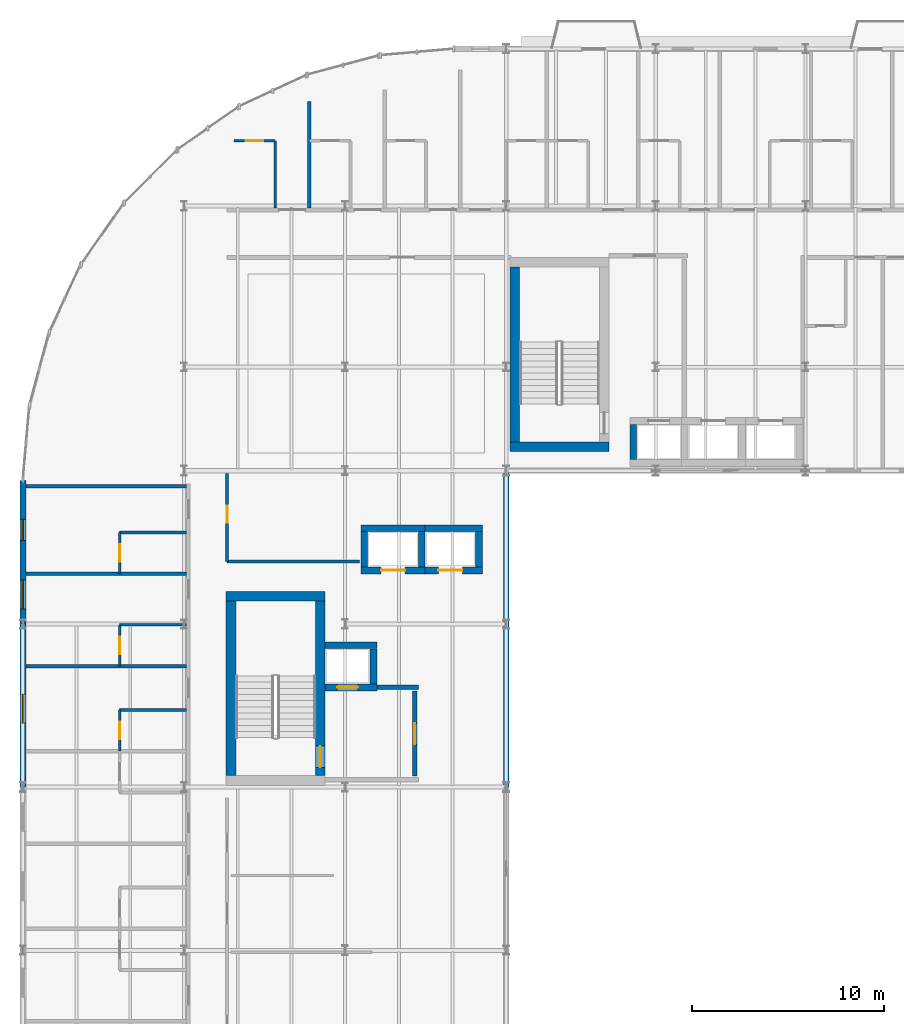
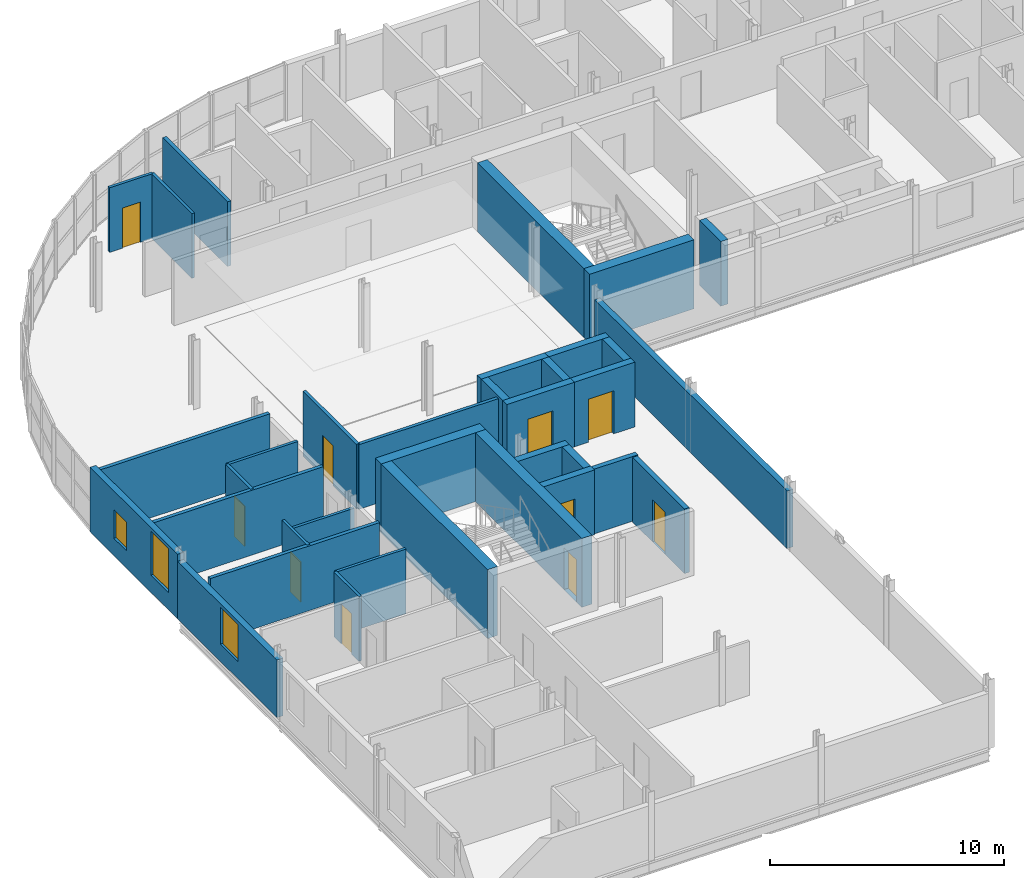
# One storey, part 18 of 30: 35 walls, 10 doors, 3 windows, 13 openings.
"""IFC4 building model written with IfcOpenShell, lengths in metres."""

from ifc_helpers import new_model, si_unit, direction, frame, frame_2d, origin, place, context, subcontext, project, spatial, rectangle, extrude, material, layer, layer_set, type_object, element, fill, save


model = new_model("IFC4")

# Units and contexts
model_context = context("Model", 3, precision=1e-05, world=origin(), true_north=direction((0.0, 1.0)))
body_context = subcontext(model_context, "Body", "Model", "MODEL_VIEW")
ifc_project = project(units=[si_unit("LENGTHUNIT", "METRE"), si_unit("AREAUNIT", "SQUARE_METRE"), si_unit("VOLUMEUNIT", "CUBIC_METRE"), si_unit("PLANEANGLEUNIT", "RADIAN"), si_unit("MASSUNIT", "GRAM", prefix="KILO")], contexts=[model_context])

# Site, building, storey
site_placement = place(None, origin())
site = spatial("IfcSite", under=ifc_project, at=site_placement, CompositionType="ELEMENT")
building_placement = place(site_placement, origin())
building = spatial("IfcBuilding", under=site, at=building_placement, Name="Sefraquen Railside Congress Hotel", CompositionType="ELEMENT")
storey_placement = place(building_placement, frame((0.0, 0.0, 35.39990234375)))
storey = spatial("IfcBuildingStorey", under=building, at=storey_placement, Name="L08", CompositionType="ELEMENT", Elevation=35.39990234375)

# Wall
ifc_material_1 = material(Name="Concrete C50/60", Category="concrete")
ifc_layer_1 = layer(ifc_material_1, 0.35009765625)
ifc_layer_set_1 = layer_set([ifc_layer_1], Name="Concrete C50/60")
wall_type_1 = type_object("IfcWallType", Name="TW-CW-350", PredefinedType="SHEAR", material=ifc_layer_set_1)
wall_1_placement = place(storey_placement, frame((15.760009765625, 86.89501953125, 0.0), z_axis=(0.0, 0.0, 1.0), x_axis=(1.0, 0.0, 0.0)))
element("IfcWall", 1, at=wall_1_placement, inside=storey, type_object=wall_type_1, Name="Lift FL-01 shaft wall N L08", PredefinedType="SHEAR", context=body_context, shape_type="SweptSolid", body=[
    extrude(rectangle(XDim=2.68994140625, YDim=0.35009765625, at=frame_2d((1.344970703125, 0.0))), origin(), (0.0, 0.0, 1.0), 3.380126953125),
])

# Wall, opening, door
wall_2_placement = place(storey_placement, frame((15.760009765625, 84.705078125, 0.0), z_axis=(0.0, 0.0, 1.0), x_axis=(1.0, 0.0, 0.0)))
wall_2 = element("IfcWall", 2, at=wall_2_placement, inside=storey, type_object=wall_type_1, Name="Lift FL-01 shaft wall S L08", PredefinedType="SHEAR", context=body_context, shape_type="SweptSolid", body=[
    extrude(rectangle(XDim=2.68994140625, YDim=0.35009765625, at=frame_2d((1.344970703125, 0.0))), origin(), (0.0, 0.0, 1.0), 3.380126953125),
])
opening_1_placement = place(wall_2_placement, frame((0.6201171875, 0.0, 0.0)))
opening_1 = element("IfcOpeningElement", 3, at=opening_1_placement, cuts=wall_2, Name="Opening LD-01", PredefinedType="OPENING", context=body_context, shape_type="SweptSolid", body=[
    extrude(rectangle(XDim=1.10009765625, YDim=2.199951171875, at=frame_2d((0.550048828125, 1.10009765625))), frame((0.0, 0.18505859375, 0.0), z_axis=(0.0, -1.0, 0.0), x_axis=(1.0, 0.0, 0.0)), (0.0, 0.0, 1.0), 0.3701171875),
])
ifc_material_2 = material(Name="Brushed bronze stainless steel", Category="steel")
door_type_1 = type_object("IfcDoorType", Name="TD-LD-01", OperationType="NOTDEFINED", PredefinedType="DOOR", material=ifc_material_2)
door_1_placement = place(opening_1_placement, origin())
door_1 = element("IfcDoor", 4, at=door_1_placement, inside=storey, type_object=door_type_1, Name="Lift landing door FL-01 L08", OperationType="SLIDING_TO_LEFT", OverallHeight=2.199951171875, OverallWidth=1.10009765625, PredefinedType="DOOR", context=body_context, shape_type="SweptSolid", body=[
    extrude(rectangle(XDim=1.10009765625, YDim=2.199951171875, at=frame_2d((0.550048828125, 1.10009765625))), frame((0.0, 0.02490234375, 0.0), z_axis=(0.0, -1.0, 0.0), x_axis=(1.0, 0.0, 0.0)), (0.0, 0.0, 1.0), 0.050048828125),
])
fill(opening_1, door_1)

# Walls
wall_3_placement = place(storey_placement, frame((18.27490234375, 84.8798828125, 0.0), z_axis=(0.0, 0.0, 1.0), x_axis=(0.0, 1.0, 0.0)))
element("IfcWall", 5, at=wall_3_placement, inside=storey, type_object=wall_type_1, Name="Lift FL-01 shaft wall E L08", PredefinedType="SHEAR", context=body_context, shape_type="SweptSolid", body=[
    extrude(rectangle(XDim=1.840087890625, YDim=0.35009765625, at=frame_2d((0.919921875, 0.0))), origin(), (0.0, 0.0, 1.0), 3.380126953125),
])
wall_4_placement = place(storey_placement, frame((31.81494140625, 96.580078125, 0.0), z_axis=(0.0, 0.0, 1.0), x_axis=(0.0, 1.0, 0.0)))
element("IfcWall", 6, at=wall_4_placement, inside=storey, type_object=wall_type_1, Name="Lift FL-02 shaft wall W L08", PredefinedType="SHEAR", context=body_context, shape_type="SweptSolid", body=[
    extrude(rectangle(XDim=1.83984375, YDim=0.35009765625, at=frame_2d((0.919921875, 0.0))), origin(), (0.0, 0.0, 1.0), 3.380126953125),
])
wall_5_placement = place(storey_placement, frame((17.6298828125, 92.9951171875, 0.0), z_axis=(0.0, 0.0, 1.0), x_axis=(1.0, 0.0, 0.0)))
element("IfcWall", 7, at=wall_5_placement, inside=storey, type_object=wall_type_1, Name="Lift PL-01 shaft wall N L08", PredefinedType="SHEAR", context=body_context, shape_type="SweptSolid", body=[
    extrude(rectangle(XDim=3.340087890625, YDim=0.35009765625, at=frame_2d((1.669921875, 0.0))), origin(), (0.0, 0.0, 1.0), 3.380126953125),
])

# Wall, opening, door
wall_6_placement = place(storey_placement, frame((17.6298828125, 90.804931640625, 0.0), z_axis=(0.0, 0.0, 1.0), x_axis=(1.0, 0.0, 0.0)))
wall_6 = element("IfcWall", 8, at=wall_6_placement, inside=storey, type_object=wall_type_1, Name="Lift PL-01 shaft wall S L08", PredefinedType="SHEAR", context=body_context, shape_type="SweptSolid", body=[
    extrude(rectangle(XDim=3.340087890625, YDim=0.35009765625, at=frame_2d((1.669921875, 0.0))), origin(), (0.0, 0.0, 1.0), 3.380126953125),
])
opening_2_placement = place(wall_6_placement, frame((1.044921875, 0.0, 0.0)))
opening_2 = element("IfcOpeningElement", 9, at=opening_2_placement, cuts=wall_6, Name="Opening LD-02", PredefinedType="OPENING", context=body_context, shape_type="SweptSolid", body=[
    extrude(rectangle(XDim=1.25, YDim=2.25, at=frame_2d((0.625, 1.125))), frame((0.0, 0.18505859375, 0.0), z_axis=(0.0, -1.0, 0.0), x_axis=(1.0, 0.0, 0.0)), (0.0, 0.0, 1.0), 0.3701171875),
])
ifc_material_3 = material(Name="Brushed stainless steel", Category="steel")
door_type_2 = type_object("IfcDoorType", Name="TD-LD-02", OperationType="NOTDEFINED", PredefinedType="DOOR", material=ifc_material_3)
door_2_placement = place(opening_2_placement, origin())
door_2 = element("IfcDoor", 10, at=door_2_placement, inside=storey, type_object=door_type_2, Name="Lift landing door PL-01 L08", OperationType="SLIDING_TO_LEFT", OverallHeight=2.25, OverallWidth=1.25, PredefinedType="DOOR", context=body_context, shape_type="SweptSolid", body=[
    extrude(rectangle(XDim=1.25, YDim=2.25, at=frame_2d((0.625, 1.125))), frame((0.0, 0.02490234375, 0.0), z_axis=(0.0, -1.0, 0.0), x_axis=(1.0, 0.0, 0.0)), (0.0, 0.0, 1.0), 0.050048828125),
])
fill(opening_2, door_2)

# Walls
for number, where, z_axis, x_axis, name in (
    (11, (17.804931640625, 90.97998046875, 0.0), (0.0, 0.0, 1.0), (0.0, 1.0, 0.0), "Lift PL-01 shaft wall W L08"),
    (12, (20.794921875, 90.97998046875, 0.0), (0.0, 0.0, 1.0), (0.0, 1.0, 0.0), "Lift PL-01 shaft wall E L08"),
):
    element("IfcWall", number, at=place(storey_placement, frame(where, z_axis=z_axis, x_axis=x_axis)), inside=storey, type_object=wall_type_1, Name=name, PredefinedType="SHEAR", context=body_context, shape_type="SweptSolid", body=[
        extrude(rectangle(XDim=1.840087890625, YDim=0.35009765625, at=frame_2d((0.919921875, 0.0))), origin(), (0.0, 0.0, 1.0), 3.380126953125),
    ])
wall_7_placement = place(storey_placement, frame((20.969970703125, 92.9951171875, 0.0), z_axis=(0.0, 0.0, 1.0), x_axis=(1.0, 0.0, 0.0)))
element("IfcWall", 13, at=wall_7_placement, inside=storey, type_object=wall_type_1, Name="Lift PL-02 shaft wall N L08", PredefinedType="SHEAR", context=body_context, shape_type="SweptSolid", body=[
    extrude(rectangle(XDim=2.989990234375, YDim=0.35009765625, at=frame_2d((1.4951171875, 0.0))), origin(), (0.0, 0.0, 1.0), 3.380126953125),
])

# Wall, opening, door
wall_8_placement = place(storey_placement, frame((20.969970703125, 90.804931640625, 0.0), z_axis=(0.0, 0.0, 1.0), x_axis=(1.0, 0.0, 0.0)))
wall_8 = element("IfcWall", 14, at=wall_8_placement, inside=storey, type_object=wall_type_1, Name="Lift PL-02 shaft wall S L08", PredefinedType="SHEAR", context=body_context, shape_type="SweptSolid", body=[
    extrude(rectangle(XDim=2.989990234375, YDim=0.35009765625, at=frame_2d((1.4951171875, 0.0))), origin(), (0.0, 0.0, 1.0), 3.380126953125),
])
opening_3_placement = place(wall_8_placement, frame((0.695068359375, 0.0, 0.0)))
opening_3 = element("IfcOpeningElement", 15, at=opening_3_placement, cuts=wall_8, Name="Opening LD-02", PredefinedType="OPENING", context=body_context, shape_type="SweptSolid", body=[
    extrude(rectangle(XDim=1.25, YDim=2.25, at=frame_2d((0.625, 1.125))), frame((0.0, 0.18505859375, 0.0), z_axis=(0.0, -1.0, 0.0), x_axis=(1.0, 0.0, 0.0)), (0.0, 0.0, 1.0), 0.3701171875),
])
door_3_placement = place(opening_3_placement, origin())
door_3 = element("IfcDoor", 16, at=door_3_placement, inside=storey, type_object=door_type_2, Name="Lift landing door PL-02 L08", OperationType="SLIDING_TO_LEFT", OverallHeight=2.25, OverallWidth=1.25, PredefinedType="DOOR", context=body_context, shape_type="SweptSolid", body=[
    extrude(rectangle(XDim=1.25, YDim=2.25, at=frame_2d((0.625, 1.125))), frame((0.0, 0.02490234375, 0.0), z_axis=(0.0, -1.0, 0.0), x_axis=(1.0, 0.0, 0.0)), (0.0, 0.0, 1.0), 0.050048828125),
])
fill(opening_3, door_3)

# Walls
wall_9_placement = place(storey_placement, frame((23.784912109375, 90.97998046875, 0.0), z_axis=(0.0, 0.0, 1.0), x_axis=(0.0, 1.0, 0.0)))
element("IfcWall", 17, at=wall_9_placement, inside=storey, type_object=wall_type_1, Name="Lift PL-02 shaft wall E L08", PredefinedType="SHEAR", context=body_context, shape_type="SweptSolid", body=[
    extrude(rectangle(XDim=1.840087890625, YDim=0.35009765625, at=frame_2d((0.919921875, 0.0))), origin(), (0.0, 0.0, 1.0), 3.380126953125),
])
ifc_layer_2 = layer(ifc_material_1, 0.5)
ifc_layer_set_2 = layer_set([ifc_layer_2], Name="Concrete C50/60")
wall_type_2 = type_object("IfcWallType", Name="TW-CW-500", PredefinedType="SHEAR", material=ifc_layer_set_2)
wall_10_placement = place(storey_placement, frame((10.60009765625, 89.4619140625, 0.0), z_axis=(0.0, 0.0, 1.0), x_axis=(1.0, 0.0, 0.0)))
element("IfcWall", 18, at=wall_10_placement, inside=storey, type_object=wall_type_2, Name="Core shear wall ST-H01 N L08", PredefinedType="SHEAR", context=body_context, shape_type="SweptSolid", body=[
    extrude(rectangle(XDim=5.159912109375, YDim=0.5, at=frame_2d((2.580078125, 0.0))), origin(), (0.0, 0.0, 1.0), 3.60009765625),
])
wall_11_placement = place(storey_placement, frame((10.85009765625, 80.10009765625, 0.0), z_axis=(0.0, 0.0, 1.0), x_axis=(0.0, 1.0, 0.0)))
element("IfcWall", 19, at=wall_11_placement, inside=storey, type_object=wall_type_2, Name="Core shear wall ST-H01 W L08", PredefinedType="SHEAR", context=body_context, shape_type="SweptSolid", body=[
    extrude(rectangle(XDim=9.11181640625, YDim=0.5, at=frame_2d((4.555908203125, 0.0))), origin(), (0.0, 0.0, 1.0), 3.60009765625),
])

# Wall, opening, door
wall_12_placement = place(storey_placement, frame((15.510009765625, 80.10009765625, 0.0), z_axis=(0.0, 0.0, 1.0), x_axis=(0.0, 1.0, 0.0)))
wall_12 = element("IfcWall", 20, at=wall_12_placement, inside=storey, type_object=wall_type_2, Name="Core shear wall ST-H01 E L08", PredefinedType="SHEAR", context=body_context, shape_type="SweptSolid", body=[
    extrude(rectangle(XDim=9.11181640625, YDim=0.5, at=frame_2d((4.555908203125, 0.0))), origin(), (0.0, 0.0, 1.0), 3.60009765625),
])
opening_4_placement = place(wall_12_placement, frame((0.43994140625, 0.0, 0.0)))
opening_4 = element("IfcOpeningElement", 21, at=opening_4_placement, cuts=wall_12, Name="Opening FD-04", PredefinedType="OPENING", context=body_context, shape_type="SweptSolid", body=[
    extrude(rectangle(XDim=1.10009765625, YDim=2.199951171875, at=frame_2d((0.550048828125, 1.10009765625))), frame((0.0, 0.260009765625, 0.0), z_axis=(0.0, -1.0, 0.0), x_axis=(1.0, 0.0, 0.0)), (0.0, 0.0, 1.0), 0.52001953125),
])
ifc_material_4 = material(Name="Fire-rated steel", Category="steel")
door_type_3 = type_object("IfcDoorType", Name="TD-FD-04", OperationType="NOTDEFINED", PredefinedType="DOOR", material=ifc_material_4)
door_4_placement = place(opening_4_placement, origin())
door_4 = element("IfcDoor", 22, at=door_4_placement, inside=storey, type_object=door_type_3, Name="Pressurized stair ST-H01 fire door L08", OperationType="SINGLE_SWING_RIGHT", OverallHeight=2.199951171875, OverallWidth=1.10009765625, PredefinedType="DOOR", context=body_context, shape_type="SweptSolid", body=[
    extrude(rectangle(XDim=1.10009765625, YDim=2.199951171875, at=frame_2d((0.550048828125, 1.10009765625))), frame((0.0, 0.02490234375, 0.0), z_axis=(0.0, -1.0, 0.0), x_axis=(1.0, 0.0, 0.0)), (0.0, 0.0, 1.0), 0.050048828125),
])
fill(opening_4, door_4)

# Walls
wall_13_placement = place(storey_placement, frame((25.39990234375, 97.25, 0.0), z_axis=(0.0, 0.0, 1.0), x_axis=(1.0, 0.0, 0.0)))
element("IfcWall", 23, at=wall_13_placement, inside=storey, type_object=wall_type_2, Name="Core shear wall ST-H02 S L08", PredefinedType="SHEAR", context=body_context, shape_type="SweptSolid", body=[
    extrude(rectangle(XDim=5.16015625, YDim=0.5, at=frame_2d((2.580078125, 0.0))), origin(), (0.0, 0.0, 1.0), 3.60009765625),
])
wall_14_placement = place(storey_placement, frame((25.64990234375, 97.5, 0.0), z_axis=(0.0, 0.0, 1.0), x_axis=(0.0, 1.0, 0.0)))
element("IfcWall", 24, at=wall_14_placement, inside=storey, type_object=wall_type_2, Name="Core shear wall ST-H02 W L08", PredefinedType="SHEAR", context=body_context, shape_type="SweptSolid", body=[
    extrude(rectangle(XDim=9.112060546875, YDim=0.5, at=frame_2d((4.55615234375, 0.0))), origin(), (0.0, 0.0, 1.0), 3.60009765625),
])
ifc_material_5 = material(Name="Ochre Rabat calcarenite limestone and Concrete C40/50 backing", Category="masonry")
ifc_layer_3 = layer(ifc_material_5, 0.280029296875)
ifc_layer_set_3 = layer_set([ifc_layer_3], Name="Ochre Rabat calcarenite limestone and Concrete C40/50 backing")
wall_type_3 = type_object("IfcWallType", Name="TW-EW-280", PredefinedType="STANDARD", material=ifc_layer_set_3)
wall_15_placement = place(storey_placement, frame((25.199951171875, 79.5, 0.0), z_axis=(0.0, 0.0, 1.0), x_axis=(0.0, 1.0, 0.0)))
element("IfcWall", 25, at=wall_15_placement, inside=storey, type_object=wall_type_3, Name="Hotel L08 courtyard return wall", PredefinedType="STANDARD", context=body_context, shape_type="SweptSolid", body=[
    extrude(rectangle(XDim=16.5, YDim=0.280029296875, at=frame_2d((8.25, 0.0))), origin(), (0.0, 0.0, 1.0), 3.010009765625),
])

# Wall, opening, window
ifc_layer_4 = layer(ifc_material_5, 0.300048828125)
ifc_layer_set_4 = layer_set([ifc_layer_4], Name="Ochre Rabat calcarenite limestone and Concrete C40/50 backing")
wall_type_4 = type_object("IfcWallType", Name="TW-EW-300", PredefinedType="STANDARD", material=ifc_layer_set_4)
wall_16_placement = place(storey_placement, frame((0.0, 79.5, 0.0), z_axis=(0.0, 0.0, 1.0), x_axis=(0.0, 1.0, 0.0)))
wall_16 = element("IfcWall", 26, at=wall_16_placement, inside=storey, type_object=wall_type_4, Name="Hotel L08 West Forecourt facade wall", PredefinedType="STANDARD", context=body_context, shape_type="SweptSolid", body=[
    extrude(rectangle(XDim=8.5, YDim=0.300048828125, at=frame_2d((4.25, 0.0))), origin(), (0.0, 0.0, 1.0), 3.010009765625),
])
opening_5_placement = place(wall_16_placement, frame((3.346923828125, 0.0, 0.89990234375)))
opening_5 = element("IfcOpeningElement", 27, at=opening_5_placement, cuts=wall_16, Name="Opening WN-19", PredefinedType="OPENING", context=body_context, shape_type="SweptSolid", body=[
    extrude(rectangle(XDim=1.5, YDim=1.929931640625, at=frame_2d((0.75, 0.96484375))), frame((0.0, 0.159912109375, 0.0), z_axis=(0.0, -1.0, 0.0), x_axis=(1.0, 0.0, 0.0)), (0.0, 0.0, 1.0), 0.320068359375),
])
ifc_material_6 = material(Name="Solar-control low-E double glazing in bronze-anodised frame", Category="glass")
window_type_1 = type_object("IfcWindowType", Name="TWN-W-19", PartitioningType="DOUBLE_PANEL_VERTICAL", PredefinedType="WINDOW", material=ifc_material_6)
window_1_placement = place(opening_5_placement, origin())
window_1 = element("IfcWindow", 28, at=window_1_placement, inside=storey, type_object=window_type_1, Name="Guest room west window SP-L08-RM-031", OverallHeight=1.929931640625, OverallWidth=1.5, PartitioningType="DOUBLE_PANEL_VERTICAL", PredefinedType="WINDOW", context=body_context, shape_type="SweptSolid", body=[
    extrude(rectangle(XDim=1.5, YDim=1.929931640625, at=frame_2d((0.75, 0.96484375))), frame((0.0, 0.030029296875, 0.0), z_axis=(0.0, -1.0, 0.0), x_axis=(1.0, 0.0, 0.0)), (0.0, 0.0, 1.0), 0.06005859375),
])
fill(opening_5, window_1)

# Wall, openings, windows
wall_17_placement = place(storey_placement, frame((0.0, 88.0, 0.0), z_axis=(0.0, 0.0, 1.0), x_axis=(0.0, 1.0, 0.0)))
wall_17 = element("IfcWall", 29, at=wall_17_placement, inside=storey, type_object=wall_type_4, Name="Hotel L08 West Forecourt facade wall", PredefinedType="STANDARD", context=body_context, shape_type="SweptSolid", body=[
    extrude(rectangle(XDim=7.5, YDim=0.300048828125, at=frame_2d((3.75, 0.0))), origin(), (0.0, 0.0, 1.0), 3.380126953125),
])
opening_6_placement = place(wall_17_placement, frame((0.800048828125, 0.0, 0.89990234375)))
opening_6 = element("IfcOpeningElement", 30, at=opening_6_placement, cuts=wall_17, Name="Opening WN-20", PredefinedType="OPENING", context=body_context, shape_type="SweptSolid", body=[
    extrude(rectangle(XDim=1.5, YDim=2.300048828125, at=frame_2d((0.75, 1.14990234375))), frame((0.0, 0.159912109375, 0.0), z_axis=(0.0, -1.0, 0.0), x_axis=(1.0, 0.0, 0.0)), (0.0, 0.0, 1.0), 0.320068359375),
])
opening_7_placement = place(wall_17_placement, frame((4.366943359375, 0.0, 0.89990234375)))
opening_7 = element("IfcOpeningElement", 31, at=opening_7_placement, cuts=wall_17, Name="Opening WN-21", PredefinedType="OPENING", context=body_context, shape_type="SweptSolid", body=[
    extrude(rectangle(XDim=1.10009765625, YDim=1.5, at=frame_2d((0.550048828125, 0.75))), frame((0.0, 0.159912109375, 0.0), z_axis=(0.0, -1.0, 0.0), x_axis=(1.0, 0.0, 0.0)), (0.0, 0.0, 1.0), 0.320068359375),
])
window_type_2 = type_object("IfcWindowType", Name="TWN-W-20", PartitioningType="DOUBLE_PANEL_VERTICAL", PredefinedType="WINDOW", material=ifc_material_6)
window_2_placement = place(opening_6_placement, origin())
window_2 = element("IfcWindow", 32, at=window_2_placement, inside=storey, type_object=window_type_2, Name="Guest room west window SP-L08-RM-032", OverallHeight=2.300048828125, OverallWidth=1.5, PartitioningType="DOUBLE_PANEL_VERTICAL", PredefinedType="WINDOW", context=body_context, shape_type="SweptSolid", body=[
    extrude(rectangle(XDim=1.5, YDim=2.300048828125, at=frame_2d((0.75, 1.14990234375))), frame((0.0, 0.030029296875, 0.0), z_axis=(0.0, -1.0, 0.0), x_axis=(1.0, 0.0, 0.0)), (0.0, 0.0, 1.0), 0.06005859375),
])
fill(opening_6, window_2)
window_type_3 = type_object("IfcWindowType", Name="TWN-W-21", PartitioningType="DOUBLE_PANEL_VERTICAL", PredefinedType="WINDOW", material=ifc_material_6)
window_3_placement = place(opening_7_placement, origin())
window_3 = element("IfcWindow", 33, at=window_3_placement, inside=storey, type_object=window_type_3, Name="Guest room west window SP-L08-RM-033", OverallHeight=1.5, OverallWidth=1.10009765625, PartitioningType="DOUBLE_PANEL_VERTICAL", PredefinedType="WINDOW", context=body_context, shape_type="SweptSolid", body=[
    extrude(rectangle(XDim=1.10009765625, YDim=1.5, at=frame_2d((0.550048828125, 0.75))), frame((0.0, 0.030029296875, 0.0), z_axis=(0.0, -1.0, 0.0), x_axis=(1.0, 0.0, 0.0)), (0.0, 0.0, 1.0), 0.06005859375),
])
fill(opening_7, window_3)

# Wall
ifc_material_7 = material(Name="Concrete C40/50", Category="concrete")
ifc_layer_5 = layer(ifc_material_7, 0.239990234375)
ifc_layer_set_5 = layer_set([ifc_layer_5], Name="Concrete C40/50")
wall_type_5 = type_object("IfcWallType", Name="TW-FW-240", PredefinedType="STANDARD", material=ifc_layer_set_5)
wall_18_placement = place(storey_placement, frame((18.449951171875, 84.705078125, 0.0), z_axis=(0.0, 0.0, 1.0), x_axis=(1.0, 0.0, 0.0)))
element("IfcWall", 34, at=wall_18_placement, inside=storey, type_object=wall_type_5, Name="Firefighting Lift Lobby FFL-01 N fire wall L08", PredefinedType="STANDARD", context=body_context, shape_type="SweptSolid", body=[
    extrude(rectangle(XDim=2.170166015625, YDim=0.239990234375, at=frame_2d((1.0849609375, 0.0))), origin(), (0.0, 0.0, 1.0), 3.380126953125),
])

# Wall, opening, door
wall_19_placement = place(storey_placement, frame((20.43994140625, 80.080078125, 0.0), z_axis=(0.0, 0.0, 1.0), x_axis=(0.0, 1.0, 0.0)))
wall_19 = element("IfcWall", 35, at=wall_19_placement, inside=storey, type_object=wall_type_5, Name="Firefighting Lift Lobby FFL-01 EI 120 separation wall L08", PredefinedType="STANDARD", context=body_context, shape_type="SweptSolid", body=[
    extrude(rectangle(XDim=4.449951171875, YDim=0.239990234375, at=frame_2d((2.22509765625, 0.0))), origin(), (0.0, 0.0, 1.0), 3.380126953125),
])
opening_8_placement = place(wall_19_placement, frame((1.64990234375, 0.0, 0.0)))
opening_8 = element("IfcOpeningElement", 36, at=opening_8_placement, cuts=wall_19, Name="Opening FD-04", PredefinedType="OPENING", context=body_context, shape_type="SweptSolid", body=[
    extrude(rectangle(XDim=1.10009765625, YDim=2.199951171875, at=frame_2d((0.550048828125, 1.10009765625))), frame((0.0, 0.1298828125, 0.0), z_axis=(0.0, -1.0, 0.0), x_axis=(1.0, 0.0, 0.0)), (0.0, 0.0, 1.0), 0.260009765625),
])
door_5_placement = place(opening_8_placement, origin())
door_5 = element("IfcDoor", 37, at=door_5_placement, inside=storey, type_object=door_type_3, Name="Firefighting Lift Lobby FFL-01 self-closing fire door L08", OperationType="SINGLE_SWING_RIGHT", OverallHeight=2.199951171875, OverallWidth=1.10009765625, PredefinedType="DOOR", context=body_context, shape_type="SweptSolid", body=[
    extrude(rectangle(XDim=1.10009765625, YDim=2.199951171875, at=frame_2d((0.550048828125, 1.10009765625))), frame((0.0, 0.02490234375, 0.0), z_axis=(0.0, -1.0, 0.0), x_axis=(1.0, 0.0, 0.0)), (0.0, 0.0, 1.0), 0.050048828125),
])
fill(opening_8, door_5)

# Wall
ifc_material_8 = material(Name="Moisture-resistant gypsum board", Category="gypsum")
ifc_layer_6 = layer(ifc_material_8, 0.139892578125)
ifc_layer_set_6 = layer_set([ifc_layer_6], Name="Moisture-resistant gypsum board")
wall_type_6 = type_object("IfcWallType", Name="TW-PW-140", PredefinedType="PARTITIONING", material=ifc_layer_set_6)
wall_20_placement = place(storey_placement, frame((5.050048828125, 83.527099609375, 0.0), z_axis=(0.0, 0.0, 1.0), x_axis=(1.0, 0.0, 0.0)))
element("IfcWall", 38, at=wall_20_placement, inside=storey, type_object=wall_type_6, Name="West en-suite bathroom north wall RM-031", PredefinedType="PARTITIONING", context=body_context, shape_type="SweptSolid", body=[
    extrude(rectangle(XDim=3.469970703125, YDim=0.139892578125, at=frame_2d((1.73486328125, 0.0))), origin(), (0.0, 0.0, 1.0), 3.380126953125),
])

# Wall, opening, door
wall_21_placement = place(storey_placement, frame((5.050048828125, 81.376953125, 0.0), z_axis=(0.0, 0.0, 1.0), x_axis=(0.0, 1.0, 0.0)))
wall_21 = element("IfcWall", 39, at=wall_21_placement, inside=storey, type_object=wall_type_6, Name="West en-suite bathroom west wall RM-031", PredefinedType="PARTITIONING", context=body_context, shape_type="SweptSolid", body=[
    extrude(rectangle(XDim=2.150146484375, YDim=0.139892578125, at=frame_2d((1.0751953125, 0.0))), origin(), (0.0, 0.0, 1.0), 3.380126953125),
])
opening_9_placement = place(wall_21_placement, frame((0.625, 0.0, 0.0)))
opening_9 = element("IfcOpeningElement", 40, at=opening_9_placement, cuts=wall_21, Name="Opening ID-02", PredefinedType="OPENING", context=body_context, shape_type="SweptSolid", body=[
    extrude(rectangle(XDim=0.89990234375, YDim=2.10009765625, at=frame_2d((0.449951171875, 1.050048828125))), frame((0.0, 0.079833984375, 0.0), z_axis=(0.0, -1.0, 0.0), x_axis=(1.0, 0.0, 0.0)), (0.0, 0.0, 1.0), 0.159912109375),
])
ifc_material_9 = material(Name="Lacquered cedar joinery", Category="wood")
door_type_4 = type_object("IfcDoorType", Name="TD-ID-02", OperationType="NOTDEFINED", PredefinedType="DOOR", material=ifc_material_9)
door_6_placement = place(opening_9_placement, frame((0.89990234375, 0.0, 0.0), z_axis=(0.0, 0.0, 1.0), x_axis=(-1.0, 0.0, 0.0)))
door_6 = element("IfcDoor", 41, at=door_6_placement, inside=storey, type_object=door_type_4, Name="En-suite bathroom door RM-031", OperationType="SINGLE_SWING_LEFT", OverallHeight=2.10009765625, OverallWidth=0.89990234375, PredefinedType="DOOR", context=body_context, shape_type="SweptSolid", body=[
    extrude(rectangle(XDim=0.89990234375, YDim=2.10009765625, at=frame_2d((0.449951171875, 1.050048828125))), frame((0.0, 0.02490234375, 0.0), z_axis=(0.0, -1.0, 0.0), x_axis=(1.0, 0.0, 0.0)), (0.0, 0.0, 1.0), 0.050048828125),
])
fill(opening_9, door_6)

# Wall
wall_22_placement = place(storey_placement, frame((5.050048828125, 87.967041015625, 0.0), z_axis=(0.0, 0.0, 1.0), x_axis=(1.0, 0.0, 0.0)))
element("IfcWall", 42, at=wall_22_placement, inside=storey, type_object=wall_type_6, Name="West en-suite bathroom north wall RM-032", PredefinedType="PARTITIONING", context=body_context, shape_type="SweptSolid", body=[
    extrude(rectangle(XDim=3.469970703125, YDim=0.139892578125, at=frame_2d((1.73486328125, 0.0))), origin(), (0.0, 0.0, 1.0), 2.820068359375),
])

# Wall, opening, door
wall_23_placement = place(storey_placement, frame((5.050048828125, 85.81689453125, 0.0), z_axis=(0.0, 0.0, 1.0), x_axis=(0.0, 1.0, 0.0)))
wall_23 = element("IfcWall", 43, at=wall_23_placement, inside=storey, type_object=wall_type_6, Name="West en-suite bathroom west wall RM-032", PredefinedType="PARTITIONING", context=body_context, shape_type="SweptSolid", body=[
    extrude(rectangle(XDim=2.150146484375, YDim=0.139892578125, at=frame_2d((1.0751953125, 0.0))), origin(), (0.0, 0.0, 1.0), 3.380126953125),
])
opening_10_placement = place(wall_23_placement, frame((0.625, 0.0, 0.0)))
opening_10 = element("IfcOpeningElement", 44, at=opening_10_placement, cuts=wall_23, Name="Opening ID-02", PredefinedType="OPENING", context=body_context, shape_type="SweptSolid", body=[
    extrude(rectangle(XDim=0.89990234375, YDim=2.10009765625, at=frame_2d((0.449951171875, 1.050048828125))), frame((0.0, 0.079833984375, 0.0), z_axis=(0.0, -1.0, 0.0), x_axis=(1.0, 0.0, 0.0)), (0.0, 0.0, 1.0), 0.159912109375),
])
door_7_placement = place(opening_10_placement, frame((0.89990234375, 0.0, 0.0), z_axis=(0.0, 0.0, 1.0), x_axis=(-1.0, 0.0, 0.0)))
door_7 = element("IfcDoor", 45, at=door_7_placement, inside=storey, type_object=door_type_4, Name="En-suite bathroom door RM-032", OperationType="SINGLE_SWING_LEFT", OverallHeight=2.10009765625, OverallWidth=0.89990234375, PredefinedType="DOOR", context=body_context, shape_type="SweptSolid", body=[
    extrude(rectangle(XDim=0.89990234375, YDim=2.10009765625, at=frame_2d((0.449951171875, 1.050048828125))), frame((0.0, 0.02490234375, 0.0), z_axis=(0.0, -1.0, 0.0), x_axis=(1.0, 0.0, 0.0)), (0.0, 0.0, 1.0), 0.050048828125),
])
fill(opening_10, door_7)

# Wall
wall_24_placement = place(storey_placement, frame((5.050048828125, 92.783935546875, 0.0), z_axis=(0.0, 0.0, 1.0), x_axis=(1.0, 0.0, 0.0)))
element("IfcWall", 46, at=wall_24_placement, inside=storey, type_object=wall_type_6, Name="West en-suite bathroom north wall RM-033", PredefinedType="PARTITIONING", context=body_context, shape_type="SweptSolid", body=[
    extrude(rectangle(XDim=3.469970703125, YDim=0.139892578125, at=frame_2d((1.73486328125, 0.0))), origin(), (0.0, 0.0, 1.0), 3.380126953125),
])

# Wall, opening, door
wall_25_placement = place(storey_placement, frame((5.050048828125, 90.634033203125, 0.0), z_axis=(0.0, 0.0, 1.0), x_axis=(0.0, 1.0, 0.0)))
wall_25 = element("IfcWall", 47, at=wall_25_placement, inside=storey, type_object=wall_type_6, Name="West en-suite bathroom west wall RM-033", PredefinedType="PARTITIONING", context=body_context, shape_type="SweptSolid", body=[
    extrude(rectangle(XDim=2.14990234375, YDim=0.139892578125, at=frame_2d((1.074951171875, 0.0))), origin(), (0.0, 0.0, 1.0), 3.380126953125),
])
opening_11_placement = place(wall_25_placement, frame((0.625, 0.0, 0.0)))
opening_11 = element("IfcOpeningElement", 48, at=opening_11_placement, cuts=wall_25, Name="Opening ID-02", PredefinedType="OPENING", context=body_context, shape_type="SweptSolid", body=[
    extrude(rectangle(XDim=0.89990234375, YDim=2.10009765625, at=frame_2d((0.449951171875, 1.050048828125))), frame((0.0, 0.079833984375, 0.0), z_axis=(0.0, -1.0, 0.0), x_axis=(1.0, 0.0, 0.0)), (0.0, 0.0, 1.0), 0.159912109375),
])
door_8_placement = place(opening_11_placement, frame((0.89990234375, 0.0, 0.0), z_axis=(0.0, 0.0, 1.0), x_axis=(-1.0, 0.0, 0.0)))
door_8 = element("IfcDoor", 49, at=door_8_placement, inside=storey, type_object=door_type_4, Name="En-suite bathroom door RM-033", OperationType="SINGLE_SWING_LEFT", OverallHeight=2.10009765625, OverallWidth=0.89990234375, PredefinedType="DOOR", context=body_context, shape_type="SweptSolid", body=[
    extrude(rectangle(XDim=0.89990234375, YDim=2.10009765625, at=frame_2d((0.449951171875, 1.050048828125))), frame((0.0, 0.02490234375, 0.0), z_axis=(0.0, -1.0, 0.0), x_axis=(1.0, 0.0, 0.0)), (0.0, 0.0, 1.0), 0.050048828125),
])
fill(opening_11, door_8)

# Wall
wall_26_placement = place(storey_placement, frame((13.14990234375, 109.699951171875, 0.0), z_axis=(0.0, 0.0, 1.0), x_axis=(0.0, 1.0, 0.0)))
element("IfcWall", 50, at=wall_26_placement, inside=storey, type_object=wall_type_6, Name="En-suite bathroom east wall RM-034", PredefinedType="PARTITIONING", context=body_context, shape_type="SweptSolid", body=[
    extrude(rectangle(XDim=3.5, YDim=0.139892578125, at=frame_2d((1.75, 0.0))), origin(), (0.0, 0.0, 1.0), 3.380126953125),
])

# Wall, opening, door
wall_27_placement = place(storey_placement, frame((11.0, 113.199951171875, 0.0), z_axis=(0.0, 0.0, 1.0), x_axis=(1.0, 0.0, 0.0)))
wall_27 = element("IfcWall", 51, at=wall_27_placement, inside=storey, type_object=wall_type_6, Name="En-suite bathroom north wall RM-034", PredefinedType="PARTITIONING", context=body_context, shape_type="SweptSolid", body=[
    extrude(rectangle(XDim=2.14990234375, YDim=0.139892578125, at=frame_2d((1.074951171875, 0.0))), origin(), (0.0, 0.0, 1.0), 3.380126953125),
])
opening_12_placement = place(wall_27_placement, frame((0.625, 0.0, 0.0)))
opening_12 = element("IfcOpeningElement", 52, at=opening_12_placement, cuts=wall_27, Name="Opening ID-02", PredefinedType="OPENING", context=body_context, shape_type="SweptSolid", body=[
    extrude(rectangle(XDim=0.89990234375, YDim=2.10009765625, at=frame_2d((0.449951171875, 1.050048828125))), frame((0.0, 0.079833984375, 0.0), z_axis=(0.0, -1.0, 0.0), x_axis=(1.0, 0.0, 0.0)), (0.0, 0.0, 1.0), 0.159912109375),
])
door_9_placement = place(opening_12_placement, origin())
door_9 = element("IfcDoor", 53, at=door_9_placement, inside=storey, type_object=door_type_4, Name="En-suite bathroom door RM-034", OperationType="SINGLE_SWING_RIGHT", OverallHeight=2.10009765625, OverallWidth=0.89990234375, PredefinedType="DOOR", context=body_context, shape_type="SweptSolid", body=[
    extrude(rectangle(XDim=0.89990234375, YDim=2.10009765625, at=frame_2d((0.449951171875, 1.050048828125))), frame((0.0, 0.02490234375, 0.0), z_axis=(0.0, -1.0, 0.0), x_axis=(1.0, 0.0, 0.0)), (0.0, 0.0, 1.0), 0.050048828125),
])
fill(opening_12, door_9)

ifc_layer_7 = layer(ifc_material_8, 0.159912109375)
ifc_layer_set_7 = layer_set([ifc_layer_7], Name="Moisture-resistant gypsum board")
wall_type_7 = type_object("IfcWallType", Name="TW-PW-160", PredefinedType="PARTITIONING", material=ifc_layer_set_7)
wall_28_placement = place(storey_placement, frame((10.64990234375, 91.280029296875, 0.0), z_axis=(0.0, 0.0, 1.0), x_axis=(0.0, 1.0, 0.0)))
wall_28 = element("IfcWall", 54, at=wall_28_placement, inside=storey, type_object=wall_type_7, Name="Hotel L08 west-return corridor E2 partition", PredefinedType="PARTITIONING", context=body_context, shape_type="SweptSolid", body=[
    extrude(rectangle(XDim=4.580078125, YDim=0.159912109375, at=frame_2d((2.2900390625, 0.0))), origin(), (0.0, 0.0, 1.0), 3.380126953125),
])
opening_13_placement = place(wall_28_placement, frame((2.0, 0.0, 0.0)))
opening_13 = element("IfcOpeningElement", 55, at=opening_13_placement, cuts=wall_28, Name="Opening ID-02", PredefinedType="OPENING", context=body_context, shape_type="SweptSolid", body=[
    extrude(rectangle(XDim=0.89990234375, YDim=2.10009765625, at=frame_2d((0.449951171875, 1.050048828125))), frame((0.0, 0.08984375, 0.0), z_axis=(0.0, -1.0, 0.0), x_axis=(1.0, 0.0, 0.0)), (0.0, 0.0, 1.0), 0.179931640625),
])
door_10_placement = place(opening_13_placement, origin())
door_10 = element("IfcDoor", 56, at=door_10_placement, inside=storey, type_object=door_type_4, Name="Hotel floor Staff WC door L08", OperationType="SINGLE_SWING_RIGHT", OverallHeight=2.10009765625, OverallWidth=0.89990234375, PredefinedType="DOOR", context=body_context, shape_type="SweptSolid", body=[
    extrude(rectangle(XDim=0.89990234375, YDim=2.10009765625, at=frame_2d((0.449951171875, 1.050048828125))), frame((0.0, 0.02490234375, 0.0), z_axis=(0.0, -1.0, 0.0), x_axis=(1.0, 0.0, 0.0)), (0.0, 0.0, 1.0), 0.050048828125),
])
fill(opening_13, door_10)

# Walls
wall_29_placement = place(storey_placement, frame((10.64990234375, 91.280029296875, 0.0), z_axis=(0.0, 0.0, 1.0), x_axis=(1.0, 0.0, 0.0)))
element("IfcWall", 57, at=wall_29_placement, inside=storey, type_object=wall_type_7, Name="Hotel L08 staff WC south enclosure partition", PredefinedType="PARTITIONING", context=body_context, shape_type="SweptSolid", body=[
    extrude(rectangle(XDim=6.900146484375, YDim=0.159912109375, at=frame_2d((3.4501953125, 0.0))), origin(), (0.0, 0.0, 1.0), 3.380126953125),
])
ifc_material_10 = material(Name="Acoustic gypsum board on metal stud", Category="gypsum")
ifc_layer_8 = layer(ifc_material_10, 0.179931640625)
ifc_layer_set_8 = layer_set([ifc_layer_8], Name="Acoustic gypsum board on metal stud")
wall_type_8 = type_object("IfcWallType", Name="TW-PW-180", PredefinedType="PARTITIONING", material=ifc_layer_set_8)
for number, where, z_axis, x_axis, name in (
    (58, (0.14990234375, 85.81689453125, 0.0), (0.0, 0.0, 1.0), (1.0, 0.0, 0.0), "West return guest room demising wall RM-031"),
    (59, (0.14990234375, 90.634033203125, 0.0), (0.0, 0.0, 1.0), (1.0, 0.0, 0.0), "West return guest room demising wall RM-032"),
    (60, (0.14990234375, 95.199951171875, 0.0), (0.0, 0.0, 1.0), (1.0, 0.0, 0.0), "West return guest room demising wall RM-033"),
):
    element("IfcWall", number, at=place(storey_placement, frame(where, z_axis=z_axis, x_axis=x_axis)), inside=storey, type_object=wall_type_8, Name=name, PredefinedType="PARTITIONING", context=body_context, shape_type="SweptSolid", body=[
        extrude(rectangle(XDim=8.3701171875, YDim=0.179931640625, at=frame_2d((4.18505859375, 0.0))), origin(), (0.0, 0.0, 1.0), 3.380126953125),
    ])
wall_30_placement = place(storey_placement, frame((14.93310546875, 109.699951171875, 0.0), z_axis=(0.0, 0.0, 1.0), x_axis=(0.0, 1.0, 0.0)))
element("IfcWall", 61, at=wall_30_placement, inside=storey, type_object=wall_type_8, Name="Guest room demising wall RM-034", PredefinedType="PARTITIONING", context=body_context, shape_type="SweptSolid", body=[
    extrude(rectangle(XDim=5.550048828125, YDim=0.179931640625, at=frame_2d((2.77490234375, 0.0))), origin(), (0.0, 0.0, 1.0), 3.380126953125),
])

save(model, "model.ifc")
